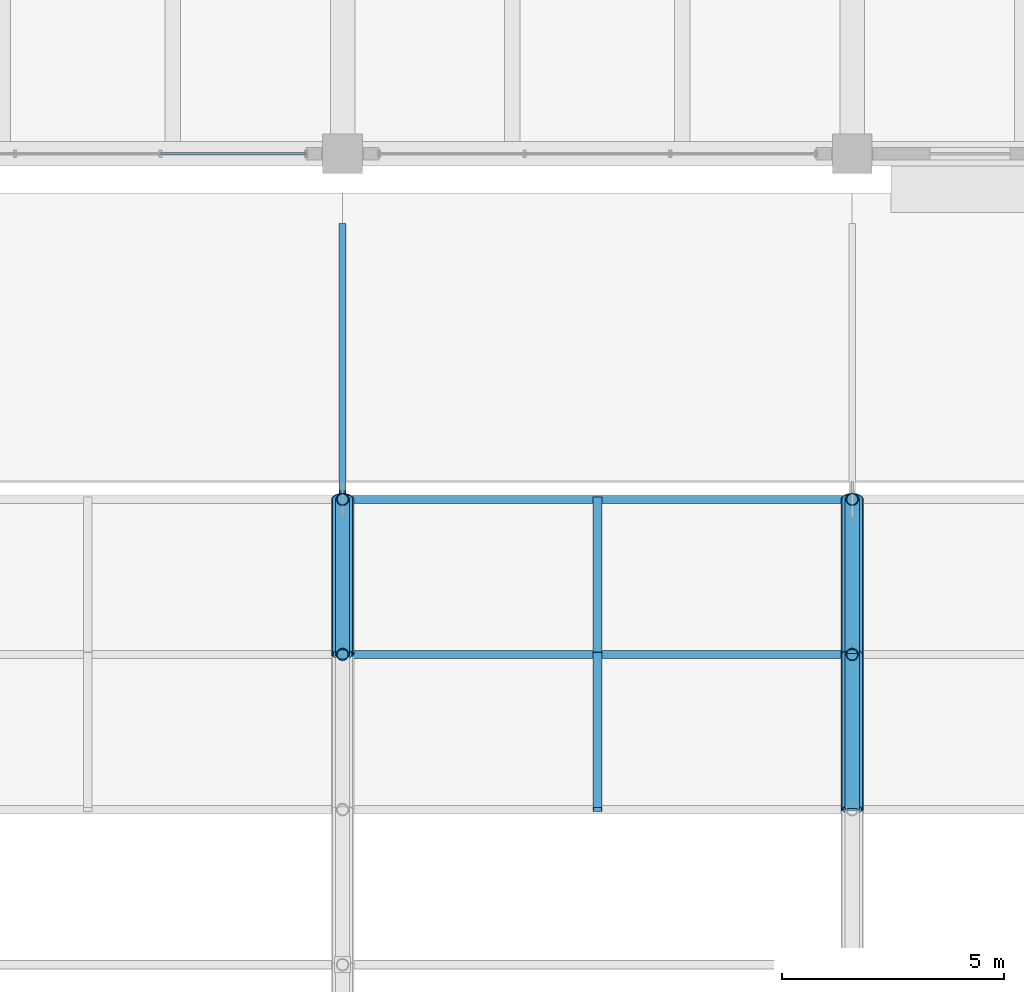
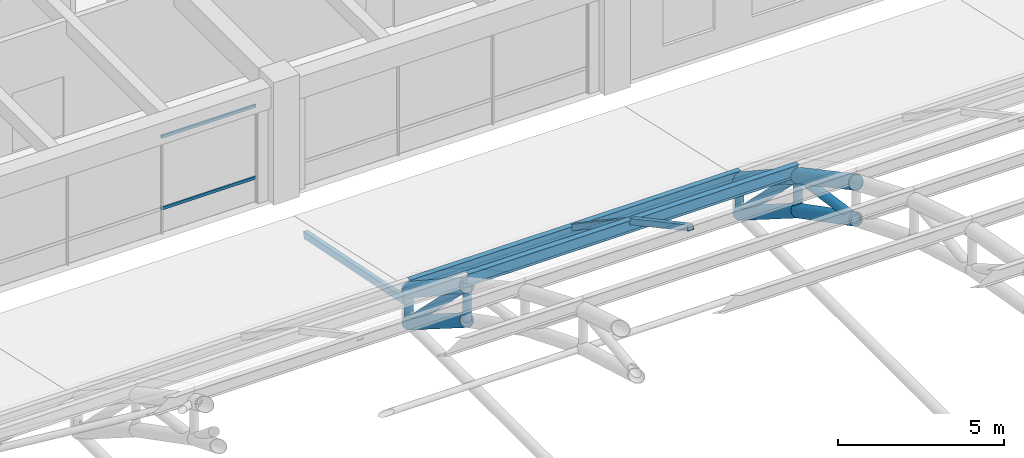
# One storey, part 69 of 154: 20 members, 1 element without a shape of its own.
"""IFC4 building model written with IfcOpenShell, lengths in metres."""

import ifcopenshell
import ifcopenshell.guid

model = None  # the IFC model being written
_history = None  # IfcOwnerHistory: only IFC2X3 demands one
_inside = {}  # id of a spatial element -> (the spatial element, [elements in it])
_under = {}  # id of a project, library or spatial element -> (it, [spatial elements below it])
_declared = {}  # id of a project -> (the project, [libraries it declares])
_typed = {}  # id of a type object -> (the type object, [elements of that type])
_made_of = {}  # id of a material, layer set ... -> (it, [elements and type objects made of it])


def new_model(schema):
    """Start an empty IFC model of exactly this schema.

    Asked for "IFC4X3", IfcOpenShell would pick the latest addendum, in which some entities
    have other attributes; the version numbers below select the first issue.
    IFC2X3 requires an IfcOwnerHistory on every rooted entity: one is made here for all.
    """
    global model, _history
    if schema == "IFC4X3":
        model = ifcopenshell.file(schema_version=(4, 3, 0, 0))
    else:
        model = ifcopenshell.file(schema=schema)
    _inside.clear()
    _under.clear()
    _declared.clear()
    _typed.clear()
    _made_of.clear()
    _history = None
    if model.schema == "IFC2X3":
        org = make("IfcOrganization", Name="unknown")
        user = make(
            "IfcPersonAndOrganization",
            ThePerson=make("IfcPerson", FamilyName="unknown"),
            TheOrganization=org,
        )
        app = make(
            "IfcApplication",
            ApplicationDeveloper=org,
            Version="unknown",
            ApplicationFullName="unknown",
            ApplicationIdentifier="unknown",
        )
        _history = make(
            "IfcOwnerHistory",
            OwningUser=user,
            OwningApplication=app,
            ChangeAction="ADDED",
            CreationDate=0,
        )
    return model


def make(cls, **values):
    """One entity of the class cls with the attributes given. An attribute that is None is left unset."""
    return model.create_entity(
        cls, **{name: value for name, value in values.items() if value is not None}
    )


def rooted(cls, **values):
    """An entity with a GlobalId (a new one), such as an element, a storey or a relation."""
    return make(cls, GlobalId=ifcopenshell.guid.new(), OwnerHistory=_history, **values)


def si_unit(unit_type, name, prefix=None):
    """IfcSIUnit, for example si_unit("LENGTHUNIT", "METRE", prefix="MILLI")."""
    return make("IfcSIUnit", UnitType=unit_type, Prefix=prefix, Name=name)


def assignment(units):
    """IfcUnitAssignment: the units of a project."""
    return None if units is None else make("IfcUnitAssignment", Units=units)


def point(xyz):
    """IfcCartesianPoint."""
    return None if xyz is None else make("IfcCartesianPoint", Coordinates=xyz)


def direction(xyz):
    """IfcDirection."""
    return None if xyz is None else make("IfcDirection", DirectionRatios=xyz)


def frame(location, z_axis=None, x_axis=None):
    """IfcAxis2Placement3D, a coordinate frame: its origin and axes. An axis left out is left unset."""
    return make(
        "IfcAxis2Placement3D",
        Location=point(location),
        Axis=direction(z_axis),
        RefDirection=direction(x_axis),
    )


def frame_2d(location, x_axis=None):
    """IfcAxis2Placement2D, a coordinate frame in the plane: its origin and x axis."""
    return make(
        "IfcAxis2Placement2D", Location=point(location), RefDirection=direction(x_axis)
    )


def origin():
    """The frame at (0, 0, 0) with its axes left unset."""
    return frame((0.0, 0.0, 0.0))


def origin_2d():
    """The frame at (0, 0) in the plane with its x axis left unset."""
    return frame_2d((0.0, 0.0))


def place(relative_to, where):
    """IfcLocalPlacement: puts the frame where relative to a parent placement (None: the world)."""
    return make(
        "IfcLocalPlacement", PlacementRelTo=relative_to, RelativePlacement=where
    )


def context(
    kind, dimensions, precision=None, world=None, true_north=None, identifier=None
):
    """IfcGeometricRepresentationContext, for example the 3D "Model" context."""
    return make(
        "IfcGeometricRepresentationContext",
        ContextIdentifier=identifier,
        ContextType=kind,
        CoordinateSpaceDimension=dimensions,
        Precision=precision,
        WorldCoordinateSystem=world,
        TrueNorth=true_north,
    )


def subcontext(parent, identifier, kind, view, scale=None):
    """IfcGeometricRepresentationSubContext, for example "Body" below "Model"."""
    return make(
        "IfcGeometricRepresentationSubContext",
        ContextIdentifier=identifier,
        ContextType=kind,
        ParentContext=parent,
        TargetScale=scale,
        TargetView=view,
    )


def project(units=None, contexts=None):
    """IfcProject with its units and contexts."""
    return rooted(
        "IfcProject",
        Name="project",
        RepresentationContexts=contexts,
        UnitsInContext=assignment(units),
    )


def spatial(cls, under=None, at=None, **own):
    """A site, building, storey or space (cls), placed at a placement, below another one or the project."""
    s = rooted(cls, ObjectPlacement=at, **own)
    if under is not None:
        _under.setdefault(under.id(), (under, []))[1].append(s)
    return s


def profile(cls, at=None, kind="AREA", **sizes):
    """A parametric profile (cls). Its sizes go by their IFC names, for example OverallWidth=200.0."""
    return make(cls, ProfileType=kind, Position=at, **sizes)


def hollow_rectangle(**sizes):
    """IfcRectangleHollowProfileDef."""
    return profile("IfcRectangleHollowProfileDef", **sizes)


def hollow_circle(**sizes):
    """IfcCircleHollowProfileDef."""
    return profile("IfcCircleHollowProfileDef", **sizes)


def i_section(**sizes):
    """IfcIShapeProfileDef."""
    return profile("IfcIShapeProfileDef", **sizes)


def extrude(swept, where, along, depth):
    """IfcExtrudedAreaSolid: the profile swept, set in the frame where, extruded along a direction by depth."""
    return make(
        "IfcExtrudedAreaSolid",
        SweptArea=swept,
        Position=where,
        ExtrudedDirection=direction(along),
        Depth=depth,
    )


def shape(context_of_items, identifier, shape_type, items):
    """IfcShapeRepresentation: the items that make up one representation, for example the "Body"."""
    return make(
        "IfcShapeRepresentation",
        ContextOfItems=context_of_items,
        RepresentationIdentifier=identifier,
        RepresentationType=shape_type,
        Items=items,
    )


def material(Name=None, Category=None):
    """IfcMaterial."""
    return make("IfcMaterial", Name=Name, Category=Category)


def material_profile(
    of_material, cross_section, Name=None, Category=None, Priority=None
):
    """IfcMaterialProfile: a cross section and its material."""
    return make(
        "IfcMaterialProfile",
        Name=Name,
        Material=of_material,
        Profile=cross_section,
        Priority=Priority,
        Category=Category,
    )


def profile_set(profiles, Name=None, composite=None):
    """IfcMaterialProfileSet."""
    return make(
        "IfcMaterialProfileSet",
        Name=Name,
        MaterialProfiles=profiles,
        CompositeProfile=composite,
    )


def made_of(thing, what):
    """Note that an element or type object is made of a material, layer set ...; save() writes the relation."""
    if what is not None:
        _made_of.setdefault(what.id(), (what, []))[1].append(thing)
    return thing


def type_object(cls, material=None, **own):
    """A type object (cls), such as IfcWallType, which elements share."""
    return made_of(rooted(cls, **own), material)


def element(
    cls,
    number,
    at=None,
    inside=None,
    cuts=None,
    type_object=None,
    material=None,
    context=None,
    identifier="Body",
    shape_type=None,
    held_by="IfcProductDefinitionShape",
    body=None,
    shapes=None,
    **own,
):
    """One element of the class cls, such as IfcWall. Its Tag is "e" and its number.

    at: its placement. inside: the storey or other place that contains it. cuts: it is an
    opening in that element (IfcRelVoidsElement). A single representation is given by context,
    identifier, shape_type and body (its items); several are given by shapes. held_by: the class
    of the entity that holds the representations. save() writes the other relations.
    """
    e = rooted(cls, Tag="e%d" % number, ObjectPlacement=at, **own)
    if body is not None:
        shapes = [shape(context, identifier, shape_type, body)]
    if shapes is not None:
        e.Representation = make(held_by, Representations=shapes)
    if inside is not None:
        _inside.setdefault(inside.id(), (inside, []))[1].append(e)
    if cuts is not None:
        rooted(
            "IfcRelVoidsElement", RelatingBuildingElement=cuts, RelatedOpeningElement=e
        )
    if type_object is not None:
        _typed.setdefault(type_object.id(), (type_object, []))[1].append(e)
    return made_of(e, material)


def aggregate(whole, parts):
    """IfcRelAggregates: a whole, such as a stair, and the parts it consists of."""
    return rooted("IfcRelAggregates", RelatingObject=whole, RelatedObjects=parts)


def save(model, path):
    """Write the relations noted so far, then the file.

    IfcRelAggregates (storeys below a building ...), IfcRelContainedInSpatialStructure (elements
    in a storey), IfcRelDefinesByType, IfcRelAssociatesMaterial and IfcRelDeclares: one each for
    every whole, place, type object, material and project.
    """
    for whole, parts in _under.values():
        aggregate(whole, parts)
    for where, things in _inside.values():
        rooted(
            "IfcRelContainedInSpatialStructure",
            RelatedElements=things,
            RelatingStructure=where,
        )
    for kind, things in _typed.values():
        rooted("IfcRelDefinesByType", RelatedObjects=things, RelatingType=kind)
    for what, things in _made_of.values():
        rooted("IfcRelAssociatesMaterial", RelatedObjects=things, RelatingMaterial=what)
    for by, libraries in _declared.values():
        rooted("IfcRelDeclares", RelatingContext=by, RelatedDefinitions=libraries)
    model.write(path)


model = new_model("IFC4")

# Units and contexts
model_context = context("Model", 3, precision=1e-05, world=origin(), true_north=direction((0.0, 1.0)))
body_context = subcontext(model_context, "Body", "Model", "MODEL_VIEW")
ifc_project = project(units=[si_unit("LENGTHUNIT", "METRE"), si_unit("AREAUNIT", "SQUARE_METRE"), si_unit("VOLUMEUNIT", "CUBIC_METRE"), si_unit("PLANEANGLEUNIT", "RADIAN"), si_unit("MASSUNIT", "GRAM", prefix="KILO")], contexts=[model_context])

# Site, building, storey
site_placement = place(None, origin())
site = spatial("IfcSite", under=ifc_project, at=site_placement, CompositionType="ELEMENT")
building_placement = place(site_placement, origin())
building = spatial("IfcBuilding", under=site, at=building_placement, Name="Ologun Quay Terminus", CompositionType="ELEMENT")
storey_placement = place(building_placement, frame((0.0, 0.0, 13.800048828125)))
storey = spatial("IfcBuildingStorey", under=building, at=storey_placement, Name="L03", CompositionType="ELEMENT", Elevation=13.800048828125)

# Members
ifc_material_1 = material(Name="Steel S355", Category="steel")
ifc_material_profile_1 = material_profile(ifc_material_1, hollow_circle(Radius=0.136474609375, WallThickness=0.010009765625, at=origin_2d()), Name="CHS 273x10")
ifc_profile_set_1 = profile_set([ifc_material_profile_1], Name="Steel S355")
member_type_1 = type_object("IfcMemberType", Name="Arch Truss Vertical Post CHS273", PredefinedType="STRUT", material=ifc_profile_set_1)
member_1_placement = place(storey_placement, frame((34.5, 74.5, 2.212158203125), z_axis=(0.0, 0.0, 1.0), x_axis=(1.0, 0.0, 0.0)))
element("IfcMember", 1, at=member_1_placement, inside=storey, type_object=member_type_1, Name="AW2 Arch Web Post 4-N11", PredefinedType="STRUT", context=body_context, shape_type="SweptSolid", body=[
    extrude(hollow_circle(Radius=0.136474609375, WallThickness=0.010009765625, at=origin_2d()), origin(), (0.0, 0.0, 1.0), 1.28564453125),
])
member_2_placement = place(storey_placement, frame((34.5, 78.0, 0.0), z_axis=(0.0, 0.0, 1.0), x_axis=(1.0, 0.0, 0.0)))
element("IfcMember", 2, at=member_2_placement, inside=storey, type_object=member_type_1, Name="AW2 Arch Web Post 4-N12", PredefinedType="STRUT", context=body_context, shape_type="SweptSolid", body=[
    extrude(hollow_circle(Radius=0.136474609375, WallThickness=0.010009765625, at=origin_2d()), origin(), (0.0, 0.0, 1.0), 1.199951171875),
])
member_3_placement = place(storey_placement, frame((46.0, 74.5, 2.212158203125), z_axis=(0.0, 0.0, 1.0), x_axis=(1.0, 0.0, 0.0)))
element("IfcMember", 3, at=member_3_placement, inside=storey, type_object=member_type_1, Name="AW2 Arch Web Post 5-N11", PredefinedType="STRUT", context=body_context, shape_type="SweptSolid", body=[
    extrude(hollow_circle(Radius=0.136474609375, WallThickness=0.010009765625, at=origin_2d()), origin(), (0.0, 0.0, 1.0), 1.28564453125),
])
member_4_placement = place(storey_placement, frame((46.0, 78.0, 0.0), z_axis=(0.0, 0.0, 1.0), x_axis=(1.0, 0.0, 0.0)))
element("IfcMember", 4, at=member_4_placement, inside=storey, type_object=member_type_1, Name="AW2 Arch Web Post 5-N12", PredefinedType="STRUT", context=body_context, shape_type="SweptSolid", body=[
    extrude(hollow_circle(Radius=0.136474609375, WallThickness=0.010009765625, at=origin_2d()), origin(), (0.0, 0.0, 1.0), 1.199951171875),
])
ifc_material_2 = material(Name="Steel S355", Category="steel")
ifc_material_profile_2 = material_profile(ifc_material_2, hollow_circle(Radius=0.161865234375, WallThickness=0.010009765625, at=origin_2d()), Name="CHS 323.9x10")
ifc_profile_set_2 = profile_set([ifc_material_profile_2], Name="Steel S355")
member_type_2 = type_object("IfcMemberType", Name="Arch Truss Web Diagonal CHS323", PredefinedType="BRACE", material=ifc_profile_set_2)
member_5_placement = place(storey_placement, frame((34.5, 74.5, 3.497802734375), z_axis=(0.0, 0.707328773357, -0.706884719301), x_axis=(-1.0, 0.0, 0.0)))
element("IfcMember", 5, at=member_5_placement, inside=storey, type_object=member_type_2, Name="AW1 Arch Web Diagonal 4-P12", PredefinedType="BRACE", context=body_context, shape_type="SweptSolid", body=[
    extrude(hollow_circle(Radius=0.161865234375, WallThickness=0.010009765625, at=origin_2d()), origin(), (0.0, 0.0, 1.0), 4.9482421875),
])
member_6_placement = place(storey_placement, frame((46.0, 71.0, 4.022216796875), z_axis=(0.0, 0.988960627525, -0.148178531524), x_axis=(-1.0, 0.0, 0.0)))
element("IfcMember", 6, at=member_6_placement, inside=storey, type_object=member_type_2, Name="AW1 Arch Web Diagonal 5-P11", PredefinedType="BRACE", context=body_context, shape_type="SweptSolid", body=[
    extrude(hollow_circle(Radius=0.161865234375, WallThickness=0.010009765625, at=origin_2d()), origin(), (0.0, 0.0, 1.0), 3.5390625),
])
member_7_placement = place(storey_placement, frame((46.0, 74.5, 3.497802734375), z_axis=(0.0, 0.707328773357, -0.706884719301), x_axis=(-1.0, 0.0, 0.0)))
element("IfcMember", 7, at=member_7_placement, inside=storey, type_object=member_type_2, Name="AW1 Arch Web Diagonal 5-P12", PredefinedType="BRACE", context=body_context, shape_type="SweptSolid", body=[
    extrude(hollow_circle(Radius=0.161865234375, WallThickness=0.010009765625, at=origin_2d()), origin(), (0.0, 0.0, 1.0), 4.9482421875),
])

# Curtain wall, members
ifc_material_3 = material(Name="Aluminium 6063-T6", Category="aluminium")
curtain_wall_type = type_object("IfcCurtainWallType", Name="Waterfront Pavilion Harbour Curtain Wall L03 10600x4150", PredefinedType="USERDEFINED", material=ifc_material_3)
curtain_wall_placement = place(storey_placement, origin())
curtain_wall = element("IfcCurtainWall", 8, at=curtain_wall_placement, inside=storey, type_object=curtain_wall_type, Name="CW-25 Curtain Wall CW-L03-109", ObjectType="UNITISED CURTAIN WALL", PredefinedType="USERDEFINED")
ifc_material_4 = material(Name="Aluminium 6063-T6", Category="aluminium")
ifc_material_profile_3 = material_profile(ifc_material_4, hollow_rectangle(XDim=0.054931640625, YDim=0.110107421875, WallThickness=0.00390625, at=origin_2d()), Name="ALU 110x55x4")
ifc_profile_set_3 = profile_set([ifc_material_profile_3], Name="Aluminium 6063-T6")
member_type_3 = type_object("IfcMemberType", Name="Courtyard Screen Transom 110x55", PredefinedType="USERDEFINED", material=ifc_profile_set_3)
member_8_placement = place(storey_placement, frame((30.393310546875, 85.800048828125, 0.89990234375), z_axis=(1.0, 0.0, 0.0), x_axis=(0.0, 1.0, 0.0)))
member_8 = element("IfcMember", 9, at=member_8_placement, type_object=member_type_3, Name="CW-L03-109 Transom B3-1", ObjectType="TRANSOM", PredefinedType="USERDEFINED", context=body_context, shape_type="SweptSolid", body=[
    extrude(hollow_rectangle(XDim=0.054931640625, YDim=0.110107421875, WallThickness=0.00390625, at=origin_2d()), origin(), (0.0, 0.0, 1.0), 3.28662109375),
])
member_9_placement = place(storey_placement, frame((30.393310546875, 85.800048828125, 3.530029296875), z_axis=(1.0, 0.0, 0.0), x_axis=(0.0, 1.0, 0.0)))
member_9 = element("IfcMember", 10, at=member_9_placement, type_object=member_type_3, Name="CW-L03-109 Transom B3-2", ObjectType="TRANSOM", PredefinedType="USERDEFINED", context=body_context, shape_type="SweptSolid", body=[
    extrude(hollow_rectangle(XDim=0.054931640625, YDim=0.110107421875, WallThickness=0.00390625, at=origin_2d()), origin(), (0.0, 0.0, 1.0), 3.28662109375),
])
aggregate(curtain_wall, [member_8, member_9])

# Members
ifc_material_5 = material(Name="Steel S355", Category="steel")
ifc_material_profile_4 = material_profile(ifc_material_5, hollow_circle(Radius=0.228515625, WallThickness=0.01611328125, at=origin_2d()), Name="CHS 457x16")
ifc_profile_set_4 = profile_set([ifc_material_profile_4], Name="Steel S355")
member_type_4 = type_object("IfcMemberType", Name="Parabolic Arch Bottom Chord CHS457", PredefinedType="CHORD", material=ifc_profile_set_4)
member_10_placement = place(storey_placement, frame((34.5, 74.5, 2.212158203125), z_axis=(0.0, 0.845310912611, -0.534274705578), x_axis=(-1.0, 0.0, 0.0)))
element("IfcMember", 11, at=member_10_placement, inside=storey, type_object=member_type_4, Name="AC2 Arch Bottom Chord 4-P12", PredefinedType="CHORD", context=body_context, shape_type="SweptSolid", body=[
    extrude(hollow_circle(Radius=0.228515625, WallThickness=0.01611328125, at=origin_2d()), origin(), (0.0, 0.0, 1.0), 4.140380859375),
])
member_11_placement = place(storey_placement, frame((46.0, 71.0, 4.022216796875), z_axis=(0.0, 0.888247284083, -0.459365608551), x_axis=(-1.0, 0.0, 0.0)))
element("IfcMember", 12, at=member_11_placement, inside=storey, type_object=member_type_4, Name="AC2 Arch Bottom Chord 5-P11", PredefinedType="CHORD", context=body_context, shape_type="SweptSolid", body=[
    extrude(hollow_circle(Radius=0.228515625, WallThickness=0.01611328125, at=origin_2d()), origin(), (0.0, 0.0, 1.0), 3.9404296875),
])
member_12_placement = place(storey_placement, frame((46.0, 74.5, 2.212158203125), z_axis=(0.0, 0.845310912611, -0.534274705578), x_axis=(-1.0, 0.0, 0.0)))
element("IfcMember", 13, at=member_12_placement, inside=storey, type_object=member_type_4, Name="AC2 Arch Bottom Chord 5-P12", PredefinedType="CHORD", context=body_context, shape_type="SweptSolid", body=[
    extrude(hollow_circle(Radius=0.228515625, WallThickness=0.01611328125, at=origin_2d()), origin(), (0.0, 0.0, 1.0), 4.140380859375),
])
ifc_material_6 = material(Name="Steel S355", Category="steel")
ifc_material_profile_5 = material_profile(ifc_material_6, hollow_circle(Radius=0.25390625, WallThickness=0.01611328125, at=origin_2d()), Name="CHS 508x16")
ifc_profile_set_5 = profile_set([ifc_material_profile_5], Name="Steel S355")
member_type_5 = type_object("IfcMemberType", Name="Parabolic Arch Top Chord CHS508", PredefinedType="CHORD", material=ifc_profile_set_5)
member_13_placement = place(storey_placement, frame((34.5, 74.5, 3.497802734375), z_axis=(0.0, 0.835940905918, -0.548819461949), x_axis=(-1.0, 0.0, 0.0)))
element("IfcMember", 14, at=member_13_placement, inside=storey, type_object=member_type_5, Name="Arch Top Chord 4-P12", PredefinedType="CHORD", context=body_context, shape_type="SweptSolid", body=[
    extrude(hollow_circle(Radius=0.25390625, WallThickness=0.01611328125, at=origin_2d()), origin(), (0.0, 0.0, 1.0), 4.18701171875),
])
member_14_placement = place(storey_placement, frame((46.0, 71.0, 5.377685546875), z_axis=(0.0, 0.880967864924, -0.473176099324), x_axis=(-1.0, 0.0, 0.0)))
element("IfcMember", 15, at=member_14_placement, inside=storey, type_object=member_type_5, Name="Arch Top Chord 5-P11", PredefinedType="CHORD", context=body_context, shape_type="SweptSolid", body=[
    extrude(hollow_circle(Radius=0.25390625, WallThickness=0.01611328125, at=origin_2d()), origin(), (0.0, 0.0, 1.0), 3.972900390625),
])
member_15_placement = place(storey_placement, frame((46.0, 74.5, 3.497802734375), z_axis=(0.0, 0.835940905918, -0.548819461949), x_axis=(-1.0, 0.0, 0.0)))
element("IfcMember", 16, at=member_15_placement, inside=storey, type_object=member_type_5, Name="Arch Top Chord 5-P12", PredefinedType="CHORD", context=body_context, shape_type="SweptSolid", body=[
    extrude(hollow_circle(Radius=0.25390625, WallThickness=0.01611328125, at=origin_2d()), origin(), (0.0, 0.0, 1.0), 4.18701171875),
])
ifc_material_7 = material(Name="Steel S355", Category="steel")
ifc_material_profile_6 = material_profile(ifc_material_7, hollow_rectangle(XDim=0.199951171875, YDim=0.199951171875, WallThickness=0.008056640625, at=origin_2d()), Name="SHS 200x200x8")
ifc_profile_set_6 = profile_set([ifc_material_profile_6], Name="Steel S355")
member_type_6 = type_object("IfcMemberType", Name="Skylight Cross Transom Bar RHS150", PredefinedType="STRUT", material=ifc_profile_set_6)
member_16_placement = place(storey_placement, frame((40.25, 71.0, 5.731689453125), z_axis=(0.0, 0.880967864924, -0.473176099324), x_axis=(-1.0, 0.0, 0.0)))
element("IfcMember", 17, at=member_16_placement, inside=storey, type_object=member_type_6, Name="SK2 Eave Secondary Rafter B4-P11", PredefinedType="STRUT", context=body_context, shape_type="SweptSolid", body=[
    extrude(hollow_rectangle(XDim=0.199951171875, YDim=0.199951171875, WallThickness=0.008056640625, at=origin_2d()), origin(), (0.0, 0.0, 1.0), 3.972900390625),
])
member_17_placement = place(storey_placement, frame((40.25, 74.5, 3.851806640625), z_axis=(0.0, 0.830398014247, -0.55717065423), x_axis=(-1.0, 0.0, 0.0)))
element("IfcMember", 18, at=member_17_placement, inside=storey, type_object=member_type_6, Name="SK2 Eave Secondary Rafter B4-P12", PredefinedType="STRUT", context=body_context, shape_type="SweptSolid", body=[
    extrude(hollow_rectangle(XDim=0.199951171875, YDim=0.199951171875, WallThickness=0.008056640625, at=origin_2d()), origin(), (0.0, 0.0, 1.0), 4.21484375),
])
ifc_material_8 = material(Name="Steel S355", Category="steel")
ifc_material_profile_7 = material_profile(ifc_material_8, hollow_rectangle(XDim=0.14990234375, YDim=0.25, WallThickness=0.008056640625, at=origin_2d()), Name="RHS 250x150x8")
ifc_profile_set_7 = profile_set([ifc_material_profile_7], Name="Steel S355")
member_type_7 = type_object("IfcMemberType", Name="Skylight Longitudinal Glazing Bar RHS200", PredefinedType="PURLIN", material=ifc_profile_set_7)
member_18_placement = place(storey_placement, frame((34.5, 84.199951171875, -0.520263671875), z_axis=(0.0, -0.98005285553, 0.19873701308), x_axis=(1.0, 0.0, 0.0)))
element("IfcMember", 19, at=member_18_placement, inside=storey, type_object=member_type_7, Name="SK1 Inclined Roof Rafter L03-NGAL-4", PredefinedType="PURLIN", context=body_context, shape_type="SweptSolid", body=[
    extrude(hollow_rectangle(XDim=0.14990234375, YDim=0.25, WallThickness=0.008056640625, at=origin_2d()), origin(), (0.0, 0.0, 1.0), 6.16064453125),
])
ifc_material_9 = material(Name="Steel S355", Category="steel")
ifc_material_profile_8 = material_profile(ifc_material_9, i_section(OverallWidth=0.177978515625, OverallDepth=0.406494140625, WebThickness=0.0078125, FlangeThickness=0.0126953125, at=origin_2d()), Name="UKB 406x178x60")
ifc_profile_set_8 = profile_set([ifc_material_profile_8], Name="Steel S355")
member_type_8 = type_object("IfcMemberType", Name="Train Shed Eave & Ridge Purlin UKB406", PredefinedType="PURLIN", material=ifc_profile_set_8)
member_19_placement = place(storey_placement, frame((34.5, 78.0, 1.403076171875), z_axis=(1.0, 0.0, 0.0), x_axis=(0.0, 1.0, 0.0)))
element("IfcMember", 20, at=member_19_placement, inside=storey, type_object=member_type_8, Name="PR2 Roof Purlin B4-N12", PredefinedType="PURLIN", context=body_context, shape_type="SweptSolid", body=[
    extrude(i_section(OverallWidth=0.177978515625, OverallDepth=0.406494140625, WebThickness=0.0078125, FlangeThickness=0.0126953125, at=origin_2d()), origin(), (0.0, 0.0, 1.0), 11.5),
])
ifc_material_10 = material(Name="Steel S355", Category="steel")
ifc_material_profile_9 = material_profile(ifc_material_10, i_section(OverallWidth=0.1904296875, OverallDepth=0.45703125, WebThickness=0.009033203125, FlangeThickness=0.014404296875, at=origin_2d()), Name="UKB 457x191x74")
ifc_profile_set_9 = profile_set([ifc_material_profile_9], Name="Steel S355")
member_type_9 = type_object("IfcMemberType", Name="Train Shed Primary Roof Purlin UKB457", PredefinedType="PURLIN", material=ifc_profile_set_9)
member_20_placement = place(storey_placement, frame((34.5, 74.5, 3.726318359375), z_axis=(1.0, 0.0, 0.0), x_axis=(0.0, 1.0, 0.0)))
element("IfcMember", 21, at=member_20_placement, inside=storey, type_object=member_type_9, Name="PR1 Roof Purlin B4-N11", PredefinedType="PURLIN", context=body_context, shape_type="SweptSolid", body=[
    extrude(i_section(OverallWidth=0.1904296875, OverallDepth=0.45703125, WebThickness=0.009033203125, FlangeThickness=0.014404296875, at=origin_2d()), origin(), (0.0, 0.0, 1.0), 11.5),
])

save(model, "model.ifc")
